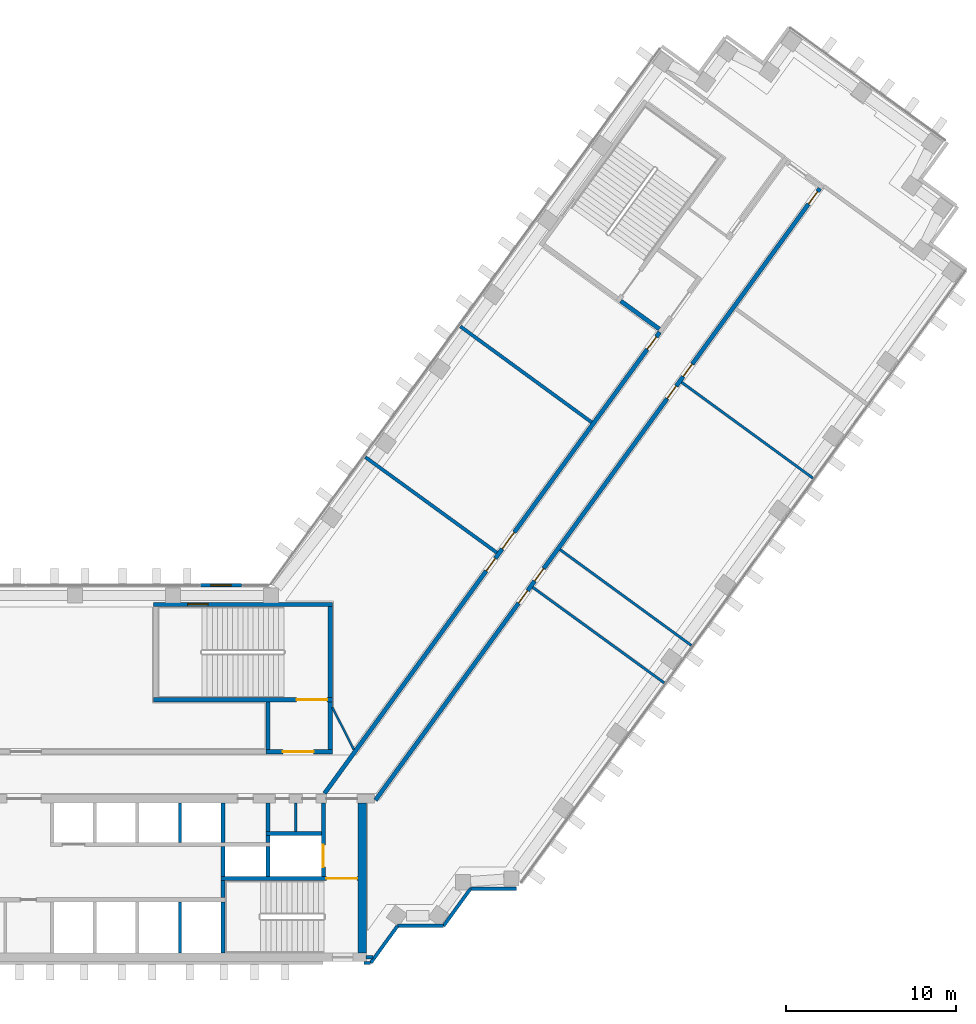
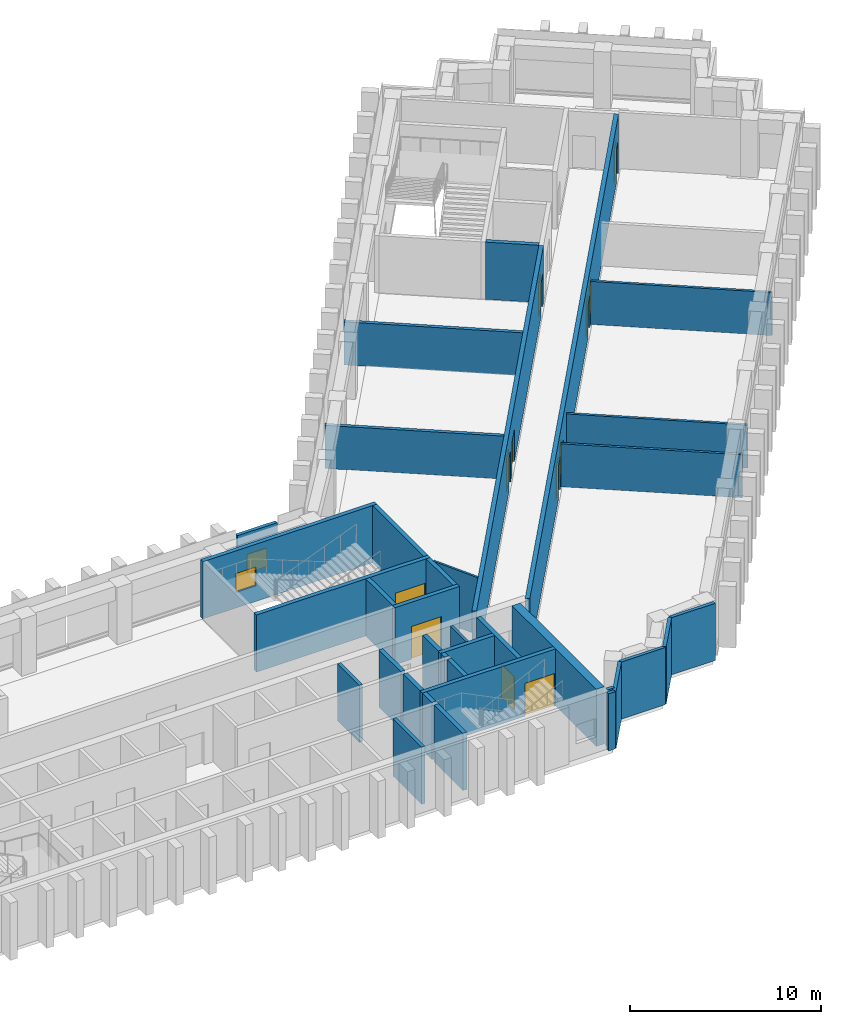
# One storey, part 11 of 17: 36 walls, 12 doors, 2 windows, 14 openings.
"""IFC4 building model written with IfcOpenShell, lengths in metres."""

from ifc_helpers import new_model, si_unit, direction, frame, frame_2d, origin, place, context, subcontext, project, spatial, rectangle, extrude, material, layer, layer_set, type_object, element, fill, save


model = new_model("IFC4")

# Units and contexts
model_context = context("Model", 3, precision=1e-05, world=origin(), true_north=direction((0.0, 1.0)))
body_context = subcontext(model_context, "Body", "Model", "MODEL_VIEW")
ifc_project = project(units=[si_unit("LENGTHUNIT", "METRE"), si_unit("AREAUNIT", "SQUARE_METRE"), si_unit("VOLUMEUNIT", "CUBIC_METRE"), si_unit("PLANEANGLEUNIT", "RADIAN"), si_unit("MASSUNIT", "GRAM", prefix="KILO")], contexts=[model_context])

# Site, building, storey
site_placement = place(None, origin())
site = spatial("IfcSite", under=ifc_project, at=site_placement, CompositionType="ELEMENT")
building_placement = place(site_placement, origin())
building = spatial("IfcBuilding", under=site, at=building_placement, Name="Quipu Civic Tower", CompositionType="ELEMENT")
storey_placement = place(building_placement, frame((0.0, 0.0, 43.0)))
storey = spatial("IfcBuildingStorey", under=building, at=storey_placement, Name="L09", CompositionType="ELEMENT", Elevation=43.0)

# Walls
ifc_material_1 = material(Name="Double gypsum plasterboard with mineral wool")
ifc_layer_1 = layer(ifc_material_1, 0.14990234375)
ifc_layer_set_1 = layer_set([ifc_layer_1], Name="Double gypsum plasterboard with mineral wool")
wall_type_1 = type_object("IfcWallType", Name="Acoustic partition 150 plasterboard", PredefinedType="PARTITIONING", material=ifc_layer_set_1)
wall_1_placement = place(storey_placement, frame((38.521728515625, 23.026123046875, 0.0), z_axis=(0.0, 0.0, 1.0), x_axis=(0.807606997933, -0.589721067023, 0.0)))
element("IfcWall", 1, at=wall_1_placement, inside=storey, type_object=wall_type_1, Name="Partition P06", PredefinedType="PARTITIONING", context=body_context, shape_type="SweptSolid", body=[
    extrude(rectangle(XDim=9.550048828125, YDim=0.14990234375, at=frame_2d((4.77490234375, 0.0))), origin(), (0.0, 0.0, 1.0), 2.75),
])
for number, where, z_axis, x_axis, name in (
    (2, (37.495849609375, 5.36669921875, 0.0), (0.0, 0.0, 1.0), (-0.809048817734, 0.587741448702, 0.0), "Partition P12"),
    (3, (31.3798828125, 13.1962890625, 0.0), (0.0, 0.0, 1.0), (0.807691251741, -0.589605666408, 0.0), "Partition P13"),
):
    element("IfcWall", number, at=place(storey_placement, frame(where, z_axis=z_axis, x_axis=x_axis)), inside=storey, type_object=wall_type_1, Name=name, PredefinedType="PARTITIONING", context=body_context, shape_type="SweptSolid", body=[
        extrude(rectangle(XDim=9.55029296875, YDim=0.14990234375, at=frame_2d((4.775146484375, 0.0))), origin(), (0.0, 0.0, 1.0), 2.75),
    ])
ifc_material_2 = material(Name="Fired clay blockwork", Category="masonry")
ifc_layer_2 = layer(ifc_material_2, 0.199951171875)
ifc_layer_set_2 = layer_set([ifc_layer_2], Name="Fired clay blockwork")
wall_type_2 = type_object("IfcWallType", Name="Blockwork wall 200", PredefinedType="SOLIDWALL", material=ifc_layer_set_2)
wall_2_placement = place(storey_placement, frame((27.664306640625, 13.015869140625, 0.0), z_axis=(0.0, 0.0, 1.0), x_axis=(-0.80900684162, 0.587799226107, 0.0)))
element("IfcWall", 4, at=wall_2_placement, inside=storey, type_object=wall_type_2, Name="Partition P05", PredefinedType="SOLIDWALL", context=body_context, shape_type="SweptSolid", body=[
    extrude(rectangle(XDim=9.550048828125, YDim=0.199951171875, at=frame_2d((4.77490234375, 0.0))), origin(), (0.0, 0.0, 1.0), 2.75),
])
wall_3_placement = place(storey_placement, frame((25.517578125, 26.30859375, 0.0), z_axis=(0.0, 0.0, 1.0), x_axis=(0.807610282865, -0.589716568371, 0.0)))
element("IfcWall", 5, at=wall_3_placement, inside=storey, type_object=wall_type_2, Name="Partition P11", PredefinedType="SOLIDWALL", context=body_context, shape_type="SweptSolid", body=[
    extrude(rectangle(XDim=9.549560546875, YDim=0.199951171875, at=frame_2d((4.77490234375, 0.0))), origin(), (0.0, 0.0, 1.0), 2.75),
])
ifc_material_3 = material(Name="Concrete C70/85", Category="concrete")
ifc_layer_3 = layer(ifc_material_3, 0.25)
ifc_layer_set_3 = layer_set([ifc_layer_3], Name="Concrete C70/85")
wall_type_3 = type_object("IfcWallType", Name="Core wall 250", PredefinedType="SHEAR", material=ifc_layer_set_3)
wall_4_placement = place(storey_placement, frame((11.574951171875, -10.5, 0.0), z_axis=(0.0, 0.0, 1.0), x_axis=(0.0, 1.0, 0.0)))
element("IfcWall", 6, at=wall_4_placement, inside=storey, type_object=wall_type_3, Name="Core wall", PredefinedType="SHEAR", context=body_context, shape_type="SweptSolid", body=[
    extrude(rectangle(XDim=3.0, YDim=0.25, at=frame_2d((1.5, 0.0))), origin(), (0.0, 0.0, 1.0), 3.64990234375),
])
wall_5_placement = place(storey_placement, frame((11.574951171875, -7.25, 0.0), z_axis=(0.0, 0.0, 1.0), x_axis=(0.0, 1.0, 0.0)))
element("IfcWall", 7, at=wall_5_placement, inside=storey, type_object=wall_type_3, Name="Core wall", PredefinedType="SHEAR", context=body_context, shape_type="SweptSolid", body=[
    extrude(rectangle(XDim=1.0, YDim=0.25, at=frame_2d((0.5, 0.0))), origin(), (0.0, 0.0, 1.0), 3.64990234375),
])

# Wall, opening, door
wall_6_placement = place(storey_placement, frame((19.5, -6.125, 0.0), z_axis=(0.0, 0.0, 1.0), x_axis=(-1.0, 0.0, 0.0)))
wall_6 = element("IfcWall", 8, at=wall_6_placement, inside=storey, type_object=wall_type_3, Name="Core wall", PredefinedType="SHEAR", context=body_context, shape_type="SweptSolid", body=[
    extrude(rectangle(XDim=8.050048828125, YDim=0.25, at=frame_2d((4.02490234375, 0.0))), origin(), (0.0, 0.0, 1.0), 3.64990234375),
])
opening_1_placement = place(wall_6_placement, frame((0.050048828125, 0.0, 0.0)))
opening_1 = element("IfcOpeningElement", 9, at=opening_1_placement, cuts=wall_6, Name="Opening CD-04", PredefinedType="OPENING", context=body_context, shape_type="SweptSolid", body=[
    extrude(rectangle(XDim=1.800048828125, YDim=2.10009765625, at=frame_2d((0.89990234375, 1.050048828125))), frame((0.0, 0.135009765625, 0.0), z_axis=(0.0, -1.0, 0.0), x_axis=(1.0, 0.0, 0.0)), (0.0, 0.0, 1.0), 0.27001953125),
])
ifc_material_4 = material(Name="Fire rated steel door", Category="steel")
door_type_1 = type_object("IfcDoorType", Name="Fire door FD90 double 1800 x 2100", OperationType="NOTDEFINED", PredefinedType="DOOR", material=ifc_material_4)
door_1_placement = place(opening_1_placement, origin())
door_1 = element("IfcDoor", 10, at=door_1_placement, inside=storey, type_object=door_type_1, Name="Door", OperationType="DOUBLE_DOOR_SINGLE_SWING", OverallHeight=2.10009765625, OverallWidth=1.800048828125, PredefinedType="DOOR", context=body_context, shape_type="SweptSolid", body=[
    extrude(rectangle(XDim=1.800048828125, YDim=2.10009765625, at=frame_2d((0.89990234375, 1.050048828125))), frame((0.0, 0.02490234375, 0.0), z_axis=(0.0, -1.0, 0.0), x_axis=(1.0, 0.0, 0.0)), (0.0, 0.0, 1.0), 0.050048828125),
])
fill(opening_1, door_1)

# Walls
for number, where, z_axis, x_axis, name in (
    (11, (11.574951171875, -6.0, 0.0), (0.0, 0.0, 1.0), (0.0, 1.0, 0.0), "Core wall"),
    (12, (14.22509765625, -6.0, 0.0), (0.0, 0.0, 1.0), (0.0, 1.0, 0.0), "Core wall"),
):
    element("IfcWall", number, at=place(storey_placement, frame(where, z_axis=z_axis, x_axis=x_axis)), inside=storey, type_object=wall_type_3, Name=name, PredefinedType="SHEAR", context=body_context, shape_type="SweptSolid", body=[
        extrude(rectangle(XDim=1.75, YDim=0.25, at=frame_2d((0.875, 0.0))), origin(), (0.0, 0.0, 1.0), 3.64990234375),
    ])

# Wall, opening, door
wall_7_placement = place(storey_placement, frame((17.47509765625, -6.0, 0.0), z_axis=(0.0, 0.0, 1.0), x_axis=(0.0, 1.0, 0.0)))
wall_7 = element("IfcWall", 13, at=wall_7_placement, inside=storey, type_object=wall_type_3, Name="Core wall", PredefinedType="SHEAR", context=body_context, shape_type="SweptSolid", body=[
    extrude(rectangle(XDim=4.300048828125, YDim=0.25, at=frame_2d((2.14990234375, 0.0))), origin(), (0.0, 0.0, 1.0), 3.64990234375),
])
opening_2_placement = place(wall_7_placement, frame((0.550048828125, 0.0, 0.0)))
opening_2 = element("IfcOpeningElement", 14, at=opening_2_placement, cuts=wall_7, Name="Opening LD-FF2", PredefinedType="OPENING", context=body_context, shape_type="SweptSolid", body=[
    extrude(rectangle(XDim=1.300048828125, YDim=2.10009765625, at=frame_2d((0.64990234375, 1.050048828125))), frame((0.0, 0.135009765625, 0.0), z_axis=(0.0, -1.0, 0.0), x_axis=(1.0, 0.0, 0.0)), (0.0, 0.0, 1.0), 0.27001953125),
])
ifc_material_5 = material(Name="Stainless steel", Category="steel")
door_type_2 = type_object("IfcDoorType", Name="Lift landing door 1300 x 2100", OperationType="DOUBLE_DOOR_SLIDING", PredefinedType="DOOR", material=ifc_material_5)
door_2_placement = place(opening_2_placement, origin())
door_2 = element("IfcDoor", 15, at=door_2_placement, inside=storey, type_object=door_type_2, Name="Landing door FF2", OperationType="DOUBLE_DOOR_SLIDING", OverallHeight=2.10009765625, OverallWidth=1.300048828125, PredefinedType="DOOR", context=body_context, shape_type="SweptSolid", body=[
    extrude(rectangle(XDim=1.300048828125, YDim=2.10009765625, at=frame_2d((0.64990234375, 1.050048828125))), frame((0.0, 0.02490234375, 0.0), z_axis=(0.0, -1.0, 0.0), x_axis=(1.0, 0.0, 0.0)), (0.0, 0.0, 1.0), 0.050048828125),
])
fill(opening_2, door_2)

# Walls
wall_8_placement = place(storey_placement, frame((11.574951171875, -4.0, 0.0), z_axis=(0.0, 0.0, 1.0), x_axis=(0.0, 1.0, 0.0)))
element("IfcWall", 16, at=wall_8_placement, inside=storey, type_object=wall_type_3, Name="Core wall", PredefinedType="SHEAR", context=body_context, shape_type="SweptSolid", body=[
    extrude(rectangle(XDim=2.300048828125, YDim=0.25, at=frame_2d((1.14990234375, 0.0))), origin(), (0.0, 0.0, 1.0), 3.64990234375),
])
wall_9_placement = place(storey_placement, frame((14.22509765625, -4.0, 0.0), z_axis=(0.0, 0.0, 1.0), x_axis=(0.0, 1.0, 0.0)))
element("IfcWall", 17, at=wall_9_placement, inside=storey, type_object=wall_type_3, Name="Core wall", PredefinedType="SHEAR", context=body_context, shape_type="SweptSolid", body=[
    extrude(rectangle(XDim=0.39990234375, YDim=0.25, at=frame_2d((0.199951171875, 0.0))), origin(), (0.0, 0.0, 1.0), 3.64990234375),
])
wall_10_placement = place(storey_placement, frame((14.10009765625, -3.47509765625, 0.0), z_axis=(0.0, 0.0, 1.0), x_axis=(1.0, 0.0, 0.0)))
element("IfcWall", 18, at=wall_10_placement, inside=storey, type_object=wall_type_3, Name="Core wall", PredefinedType="SHEAR", context=body_context, shape_type="SweptSolid", body=[
    extrude(rectangle(XDim=3.25, YDim=0.25, at=frame_2d((1.625, 0.0))), origin(), (0.0, 0.0, 1.0), 3.64990234375),
])
wall_11_placement = place(storey_placement, frame((14.22509765625, -3.35009765625, 0.0), z_axis=(0.0, 0.0, 1.0), x_axis=(0.0, 1.0, 0.0)))
element("IfcWall", 19, at=wall_11_placement, inside=storey, type_object=wall_type_3, Name="Core wall", PredefinedType="SHEAR", context=body_context, shape_type="SweptSolid", body=[
    extrude(rectangle(XDim=1.650146484375, YDim=0.25, at=frame_2d((0.8251953125, 0.0))), origin(), (0.0, 0.0, 1.0), 3.64990234375),
])

# Wall, opening, door
wall_12_placement = place(storey_placement, frame((14.10009765625, 1.324951171875, 0.0), z_axis=(0.0, 0.0, 1.0), x_axis=(1.0, 0.0, 0.0)))
wall_12 = element("IfcWall", 20, at=wall_12_placement, inside=storey, type_object=wall_type_3, Name="Core wall", PredefinedType="SHEAR", context=body_context, shape_type="SweptSolid", body=[
    extrude(rectangle(XDim=3.89990234375, YDim=0.25, at=frame_2d((1.949951171875, 0.0))), origin(), (0.0, 0.0, 1.0), 3.64990234375),
])
opening_3_placement = place(wall_12_placement, frame((1.0, 0.0, 0.0)))
opening_3 = element("IfcOpeningElement", 21, at=opening_3_placement, cuts=wall_12, Name="Opening CD-16", PredefinedType="OPENING", context=body_context, shape_type="SweptSolid", body=[
    extrude(rectangle(XDim=1.800048828125, YDim=2.10009765625, at=frame_2d((0.89990234375, 1.050048828125))), frame((0.0, 0.135009765625, 0.0), z_axis=(0.0, -1.0, 0.0), x_axis=(1.0, 0.0, 0.0)), (0.0, 0.0, 1.0), 0.27001953125),
])
door_3_placement = place(opening_3_placement, origin())
door_3 = element("IfcDoor", 22, at=door_3_placement, inside=storey, type_object=door_type_1, Name="Lobby door", OperationType="DOUBLE_DOOR_SINGLE_SWING", OverallHeight=2.10009765625, OverallWidth=1.800048828125, PredefinedType="DOOR", context=body_context, shape_type="SweptSolid", body=[
    extrude(rectangle(XDim=1.800048828125, YDim=2.10009765625, at=frame_2d((0.89990234375, 1.050048828125))), frame((0.0, 0.02490234375, 0.0), z_axis=(0.0, -1.0, 0.0), x_axis=(1.0, 0.0, 0.0)), (0.0, 0.0, 1.0), 0.050048828125),
])
fill(opening_3, door_3)

# Walls
for number, where, z_axis, x_axis, name in (
    (23, (14.22509765625, 1.449951171875, 0.0), (0.0, 0.0, 1.0), (0.0, 1.0, 0.0), "Core wall"),
    (24, (17.875, 1.449951171875, 0.0), (0.0, 0.0, 1.0), (0.0, 1.0, 0.0), "Core wall"),
):
    element("IfcWall", number, at=place(storey_placement, frame(where, z_axis=z_axis, x_axis=x_axis)), inside=storey, type_object=wall_type_3, Name=name, PredefinedType="SHEAR", context=body_context, shape_type="SweptSolid", body=[
        extrude(rectangle(XDim=2.800048828125, YDim=0.25, at=frame_2d((1.39990234375, 0.0))), origin(), (0.0, 0.0, 1.0), 3.64990234375),
    ])

# Wall, opening, door
wall_13_placement = place(storey_placement, frame((7.5, 4.375, 0.0), z_axis=(0.0, 0.0, 1.0), x_axis=(1.0, 0.0, 0.0)))
wall_13 = element("IfcWall", 25, at=wall_13_placement, inside=storey, type_object=wall_type_3, Name="Core wall", PredefinedType="SHEAR", context=body_context, shape_type="SweptSolid", body=[
    extrude(rectangle(XDim=10.5, YDim=0.25, at=frame_2d((5.25, 0.0))), origin(), (0.0, 0.0, 1.0), 3.64990234375),
])
opening_4_placement = place(wall_13_placement, frame((8.39990234375, 0.0, 0.0)))
opening_4 = element("IfcOpeningElement", 26, at=opening_4_placement, cuts=wall_13, Name="Opening CD-17", PredefinedType="OPENING", context=body_context, shape_type="SweptSolid", body=[
    extrude(rectangle(XDim=1.800048828125, YDim=2.10009765625, at=frame_2d((0.89990234375, 1.050048828125))), frame((0.0, 0.135009765625, 0.0), z_axis=(0.0, -1.0, 0.0), x_axis=(1.0, 0.0, 0.0)), (0.0, 0.0, 1.0), 0.27001953125),
])
door_4_placement = place(opening_4_placement, origin())
door_4 = element("IfcDoor", 27, at=door_4_placement, inside=storey, type_object=door_type_1, Name="Door", OperationType="DOUBLE_DOOR_SINGLE_SWING", OverallHeight=2.10009765625, OverallWidth=1.800048828125, PredefinedType="DOOR", context=body_context, shape_type="SweptSolid", body=[
    extrude(rectangle(XDim=1.800048828125, YDim=2.10009765625, at=frame_2d((0.89990234375, 1.050048828125))), frame((0.0, 0.02490234375, 0.0), z_axis=(0.0, -1.0, 0.0), x_axis=(1.0, 0.0, 0.0)), (0.0, 0.0, 1.0), 0.050048828125),
])
fill(opening_4, door_4)

# Wall
wall_14_placement = place(storey_placement, frame((17.875, 4.5, 0.0), z_axis=(0.0, 0.0, 1.0), x_axis=(0.0, 1.0, 0.0)))
element("IfcWall", 28, at=wall_14_placement, inside=storey, type_object=wall_type_3, Name="Core wall", PredefinedType="SHEAR", context=body_context, shape_type="SweptSolid", body=[
    extrude(rectangle(XDim=5.35009765625, YDim=0.25, at=frame_2d((2.675048828125, 0.0))), origin(), (0.0, 0.0, 1.0), 3.64990234375),
])

# Wall, opening, window
wall_15_placement = place(storey_placement, frame((7.5, 9.97509765625, 0.0), z_axis=(0.0, 0.0, 1.0), x_axis=(1.0, 0.0, 0.0)))
wall_15 = element("IfcWall", 29, at=wall_15_placement, inside=storey, type_object=wall_type_3, Name="Core wall", PredefinedType="SHEAR", context=body_context, shape_type="SweptSolid", body=[
    extrude(rectangle(XDim=10.5, YDim=0.25, at=frame_2d((5.25, 0.0))), origin(), (0.0, 0.0, 1.0), 3.64990234375),
])
opening_5_placement = place(wall_15_placement, frame((2.0, 0.0, 1.0)))
opening_5 = element("IfcOpeningElement", 30, at=opening_5_placement, cuts=wall_15, Name="Opening SV-4", PredefinedType="OPENING", context=body_context, shape_type="SweptSolid", body=[
    extrude(rectangle(XDim=1.199951171875, YDim=1.199951171875, at=frame_2d((0.60009765625, 0.60009765625))), frame((0.0, 0.135009765625, 0.0), z_axis=(0.0, -1.0, 0.0), x_axis=(1.0, 0.0, 0.0)), (0.0, 0.0, 1.0), 0.27001953125),
])
ifc_material_6 = material(Name="Aluminium louvre", Category="aluminium")
window_type_1 = type_object("IfcWindowType", Name="Stair ventilation louvre 1200 x 1200", PartitioningType="SINGLE_PANEL", PredefinedType="WINDOW", material=ifc_material_6)
window_1_placement = place(opening_5_placement, origin())
window_1 = element("IfcWindow", 31, at=window_1_placement, inside=storey, type_object=window_type_1, Name="Stair ventilation opening", OverallHeight=1.199951171875, OverallWidth=1.199951171875, PartitioningType="SINGLE_PANEL", PredefinedType="WINDOW", context=body_context, shape_type="SweptSolid", body=[
    extrude(rectangle(XDim=1.199951171875, YDim=1.199951171875, at=frame_2d((0.60009765625, 0.60009765625))), frame((0.0, 0.030029296875, 0.0), z_axis=(0.0, -1.0, 0.0), x_axis=(1.0, 0.0, 0.0)), (0.0, 0.0, 1.0), 0.06005859375),
])
fill(opening_5, window_1)

# Walls
wall_16_placement = place(storey_placement, frame((37.2099609375, 26.154296875, 0.0), z_axis=(0.0, 0.0, 1.0), x_axis=(-0.809041377956, 0.587751689708, 0.0)))
element("IfcWall", 32, at=wall_16_placement, inside=storey, type_object=wall_type_3, Name="Core wall", PredefinedType="SHEAR", context=body_context, shape_type="SweptSolid", body=[
    extrude(rectangle(XDim=2.800048828125, YDim=0.25, at=frame_2d((1.39990234375, 0.0))), origin(), (0.0, 0.0, 1.0), 3.64990234375),
])
ifc_material_7 = material(Name="Concrete C70/85", Category="concrete")
ifc_layer_4 = layer(ifc_material_7, 0.5)
ifc_layer_set_4 = layer_set([ifc_layer_4], Name="Concrete C70/85")
wall_type_4 = type_object("IfcWallType", Name="Core wall 500", PredefinedType="SHEAR", material=ifc_layer_set_4)
wall_17_placement = place(storey_placement, frame((19.75, -10.5, 0.0), z_axis=(0.0, 0.0, 1.0), x_axis=(0.0, 1.0, 0.0)))
element("IfcWall", 33, at=wall_17_placement, inside=storey, type_object=wall_type_4, Name="Core wall", PredefinedType="SHEAR", context=body_context, shape_type="SweptSolid", body=[
    extrude(rectangle(XDim=8.800048828125, YDim=0.5, at=frame_2d((4.39990234375, 0.0))), origin(), (0.0, 0.0, 1.0), 3.64990234375),
])

# Wall, openings, doors
ifc_material_8 = material(Name="Concrete C50/60", Category="concrete")
ifc_layer_5 = layer(ifc_material_8, 0.25)
ifc_layer_set_5 = layer_set([ifc_layer_5], Name="Concrete C50/60")
wall_type_5 = type_object("IfcWallType", Name="Corridor wall 250 concrete", PredefinedType="SOLIDWALL", material=ifc_layer_set_5)
wall_18_placement = place(storey_placement, frame((17.544921875, -1.124755859375, 0.0), z_axis=(0.0, 0.0, 1.0), x_axis=(0.587786323093, 0.809016216391, 0.0)))
wall_18 = element("IfcWall", 34, at=wall_18_placement, inside=storey, type_object=wall_type_5, Name="Corridor wall C06", PredefinedType="SOLIDWALL", context=body_context, shape_type="SweptSolid", body=[
    extrude(rectangle(XDim=33.4931640625, YDim=0.25, at=frame_2d((16.74658203125, 0.0))), origin(), (0.0, 0.0, 1.0), 3.64990234375),
])
opening_6_placement = place(wall_18_placement, frame((16.158203125, 0.0, 0.0)))
opening_6 = element("IfcOpeningElement", 35, at=opening_6_placement, cuts=wall_18, Name="Opening D001", PredefinedType="OPENING", context=body_context, shape_type="SweptSolid", body=[
    extrude(rectangle(XDim=0.89990234375, YDim=2.10009765625, at=frame_2d((0.449951171875, 1.050048828125))), frame((0.0, 0.135009765625, 0.0), z_axis=(0.0, -1.0, 0.0), x_axis=(1.0, 0.0, 0.0)), (0.0, 0.0, 1.0), 0.27001953125),
])
opening_7_placement = place(wall_18_placement, frame((32.2529296875, 0.0, 0.0)))
opening_7 = element("IfcOpeningElement", 36, at=opening_7_placement, cuts=wall_18, Name="Opening D003", PredefinedType="OPENING", context=body_context, shape_type="SweptSolid", body=[
    extrude(rectangle(XDim=0.89990234375, YDim=2.10009765625, at=frame_2d((0.449951171875, 1.050048828125))), frame((0.0, 0.135009765625, 0.0), z_axis=(0.0, -1.0, 0.0), x_axis=(1.0, 0.0, 0.0)), (0.0, 0.0, 1.0), 0.27001953125),
])
opening_8_placement = place(wall_18_placement, frame((17.757080078125, 0.0, 0.0)))
opening_8 = element("IfcOpeningElement", 37, at=opening_8_placement, cuts=wall_18, Name="Opening D002", PredefinedType="OPENING", context=body_context, shape_type="SweptSolid", body=[
    extrude(rectangle(XDim=1.199951171875, YDim=2.10009765625, at=frame_2d((0.60009765625, 1.050048828125))), frame((0.0, 0.135009765625, 0.0), z_axis=(0.0, -1.0, 0.0), x_axis=(1.0, 0.0, 0.0)), (0.0, 0.0, 1.0), 0.27001953125),
])
ifc_material_9 = material(Name="Fire rated timber door set with metal frame", Category="wood")
door_type_3 = type_object("IfcDoorType", Name="Single door 1200 x 2100 FD60", OperationType="NOTDEFINED", PredefinedType="DOOR", material=ifc_material_9)
door_5_placement = place(opening_8_placement, origin())
door_5 = element("IfcDoor", 38, at=door_5_placement, inside=storey, type_object=door_type_3, Name="Door D002", OperationType="SINGLE_SWING_LEFT", OverallHeight=2.10009765625, OverallWidth=1.199951171875, PredefinedType="DOOR", context=body_context, shape_type="SweptSolid", body=[
    extrude(rectangle(XDim=1.199951171875, YDim=2.10009765625, at=frame_2d((0.60009765625, 1.050048828125))), frame((0.0, 0.02490234375, 0.0), z_axis=(0.0, -1.0, 0.0), x_axis=(1.0, 0.0, 0.0)), (0.0, 0.0, 1.0), 0.050048828125),
])
fill(opening_8, door_5)
ifc_material_10 = material(Name="Fire rated timber door set with metal frame", Category="wood")
door_type_4 = type_object("IfcDoorType", Name="Single door 900 x 2100 FD60", OperationType="NOTDEFINED", PredefinedType="DOOR", material=ifc_material_10)
door_6_placement = place(opening_6_placement, origin())
door_6 = element("IfcDoor", 39, at=door_6_placement, inside=storey, type_object=door_type_4, Name="Door D001", OperationType="SINGLE_SWING_RIGHT", OverallHeight=2.10009765625, OverallWidth=0.89990234375, PredefinedType="DOOR", context=body_context, shape_type="SweptSolid", body=[
    extrude(rectangle(XDim=0.89990234375, YDim=2.10009765625, at=frame_2d((0.449951171875, 1.050048828125))), frame((0.0, 0.02490234375, 0.0), z_axis=(0.0, -1.0, 0.0), x_axis=(1.0, 0.0, 0.0)), (0.0, 0.0, 1.0), 0.050048828125),
])
fill(opening_6, door_6)
door_7_placement = place(opening_7_placement, origin())
door_7 = element("IfcDoor", 40, at=door_7_placement, inside=storey, type_object=door_type_4, Name="Door D003", OperationType="SINGLE_SWING_RIGHT", OverallHeight=2.10009765625, OverallWidth=0.89990234375, PredefinedType="DOOR", context=body_context, shape_type="SweptSolid", body=[
    extrude(rectangle(XDim=0.89990234375, YDim=2.10009765625, at=frame_2d((0.449951171875, 1.050048828125))), frame((0.0, 0.02490234375, 0.0), z_axis=(0.0, -1.0, 0.0), x_axis=(1.0, 0.0, 0.0)), (0.0, 0.0, 1.0), 0.050048828125),
])
fill(opening_7, door_7)

wall_19_placement = place(storey_placement, frame((46.640625, 34.413330078125, 0.0), z_axis=(0.0, 0.0, 1.0), x_axis=(-0.587785682186, -0.809016682039, 0.0)))
wall_19 = element("IfcWall", 41, at=wall_19_placement, inside=storey, type_object=wall_type_5, Name="Corridor wall C09", PredefinedType="SOLIDWALL", context=body_context, shape_type="SweptSolid", body=[
    extrude(rectangle(XDim=44.42041015625, YDim=0.25, at=frame_2d((22.210205078125, 0.0))), origin(), (0.0, 0.0, 1.0), 3.64990234375),
])
opening_9_placement = place(wall_19_placement, frame((12.7548828125, 0.0, 0.0)))
opening_9 = element("IfcOpeningElement", 42, at=opening_9_placement, cuts=wall_19, Name="Opening D008", PredefinedType="OPENING", context=body_context, shape_type="SweptSolid", body=[
    extrude(rectangle(XDim=0.89990234375, YDim=2.10009765625, at=frame_2d((0.449951171875, 1.050048828125))), frame((0.0, 0.135009765625, 0.0), z_axis=(0.0, -1.0, 0.0), x_axis=(1.0, 0.0, 0.0)), (0.0, 0.0, 1.0), 0.27001953125),
])
opening_10_placement = place(wall_19_placement, frame((29.20458984375, 0.0, 0.0)))
opening_10 = element("IfcOpeningElement", 43, at=opening_10_placement, cuts=wall_19, Name="Opening D005", PredefinedType="OPENING", context=body_context, shape_type="SweptSolid", body=[
    extrude(rectangle(XDim=0.89990234375, YDim=2.10009765625, at=frame_2d((0.449951171875, 1.050048828125))), frame((0.0, 0.135009765625, 0.0), z_axis=(0.0, -1.0, 0.0), x_axis=(1.0, 0.0, 0.0)), (0.0, 0.0, 1.0), 0.27001953125),
])
opening_11_placement = place(wall_19_placement, frame((14.354248046875, 0.0, 0.0)))
opening_11 = element("IfcOpeningElement", 44, at=opening_11_placement, cuts=wall_19, Name="Opening D007", PredefinedType="OPENING", context=body_context, shape_type="SweptSolid", body=[
    extrude(rectangle(XDim=0.89990234375, YDim=2.10009765625, at=frame_2d((0.449951171875, 1.050048828125))), frame((0.0, 0.135009765625, 0.0), z_axis=(0.0, -1.0, 0.0), x_axis=(1.0, 0.0, 0.0)), (0.0, 0.0, 1.0), 0.27001953125),
])
opening_12_placement = place(wall_19_placement, frame((27.6044921875, 0.0, 0.0)))
opening_12 = element("IfcOpeningElement", 45, at=opening_12_placement, cuts=wall_19, Name="Opening D006", PredefinedType="OPENING", context=body_context, shape_type="SweptSolid", body=[
    extrude(rectangle(XDim=0.89990234375, YDim=2.10009765625, at=frame_2d((0.449951171875, 1.050048828125))), frame((0.0, 0.135009765625, 0.0), z_axis=(0.0, -1.0, 0.0), x_axis=(1.0, 0.0, 0.0)), (0.0, 0.0, 1.0), 0.27001953125),
])
opening_13_placement = place(wall_19_placement, frame((0.224853515625, 0.0, 0.0)))
opening_13 = element("IfcOpeningElement", 46, at=opening_13_placement, cuts=wall_19, Name="Opening D009", PredefinedType="OPENING", context=body_context, shape_type="SweptSolid", body=[
    extrude(rectangle(XDim=0.89990234375, YDim=2.10009765625, at=frame_2d((0.449951171875, 1.050048828125))), frame((0.0, 0.135009765625, 0.0), z_axis=(0.0, -1.0, 0.0), x_axis=(1.0, 0.0, 0.0)), (0.0, 0.0, 1.0), 0.27001953125),
])
door_8_placement = place(opening_9_placement, origin())
door_8 = element("IfcDoor", 47, at=door_8_placement, inside=storey, type_object=door_type_4, Name="Door D008", OperationType="SINGLE_SWING_RIGHT", OverallHeight=2.10009765625, OverallWidth=0.89990234375, PredefinedType="DOOR", context=body_context, shape_type="SweptSolid", body=[
    extrude(rectangle(XDim=0.89990234375, YDim=2.10009765625, at=frame_2d((0.449951171875, 1.050048828125))), frame((0.0, 0.02490234375, 0.0), z_axis=(0.0, -1.0, 0.0), x_axis=(1.0, 0.0, 0.0)), (0.0, 0.0, 1.0), 0.050048828125),
])
fill(opening_9, door_8)
door_9_placement = place(opening_10_placement, origin())
door_9 = element("IfcDoor", 48, at=door_9_placement, inside=storey, type_object=door_type_4, Name="Door D005", OperationType="SINGLE_SWING_LEFT", OverallHeight=2.10009765625, OverallWidth=0.89990234375, PredefinedType="DOOR", context=body_context, shape_type="SweptSolid", body=[
    extrude(rectangle(XDim=0.89990234375, YDim=2.10009765625, at=frame_2d((0.449951171875, 1.050048828125))), frame((0.0, 0.02490234375, 0.0), z_axis=(0.0, -1.0, 0.0), x_axis=(1.0, 0.0, 0.0)), (0.0, 0.0, 1.0), 0.050048828125),
])
fill(opening_10, door_9)
door_10_placement = place(opening_11_placement, origin())
door_10 = element("IfcDoor", 49, at=door_10_placement, inside=storey, type_object=door_type_4, Name="Door D007", OperationType="SINGLE_SWING_LEFT", OverallHeight=2.10009765625, OverallWidth=0.89990234375, PredefinedType="DOOR", context=body_context, shape_type="SweptSolid", body=[
    extrude(rectangle(XDim=0.89990234375, YDim=2.10009765625, at=frame_2d((0.449951171875, 1.050048828125))), frame((0.0, 0.02490234375, 0.0), z_axis=(0.0, -1.0, 0.0), x_axis=(1.0, 0.0, 0.0)), (0.0, 0.0, 1.0), 0.050048828125),
])
fill(opening_11, door_10)
door_11_placement = place(opening_12_placement, origin())
door_11 = element("IfcDoor", 50, at=door_11_placement, inside=storey, type_object=door_type_4, Name="Door D006", OperationType="SINGLE_SWING_RIGHT", OverallHeight=2.10009765625, OverallWidth=0.89990234375, PredefinedType="DOOR", context=body_context, shape_type="SweptSolid", body=[
    extrude(rectangle(XDim=0.89990234375, YDim=2.10009765625, at=frame_2d((0.449951171875, 1.050048828125))), frame((0.0, 0.02490234375, 0.0), z_axis=(0.0, -1.0, 0.0), x_axis=(1.0, 0.0, 0.0)), (0.0, 0.0, 1.0), 0.050048828125),
])
fill(opening_12, door_11)
door_12_placement = place(opening_13_placement, origin())
door_12 = element("IfcDoor", 51, at=door_12_placement, inside=storey, type_object=door_type_4, Name="Door D009", OperationType="SINGLE_SWING_LEFT", OverallHeight=2.10009765625, OverallWidth=0.89990234375, PredefinedType="DOOR", context=body_context, shape_type="SweptSolid", body=[
    extrude(rectangle(XDim=0.89990234375, YDim=2.10009765625, at=frame_2d((0.449951171875, 1.050048828125))), frame((0.0, 0.02490234375, 0.0), z_axis=(0.0, -1.0, 0.0), x_axis=(1.0, 0.0, 0.0)), (0.0, 0.0, 1.0), 0.050048828125),
])
fill(opening_13, door_12)

# Walls
ifc_material_11 = material(Name="Gypsum plasterboard on light gauge framing")
ifc_layer_6 = layer(ifc_material_11, 0.1201171875)
ifc_layer_set_6 = layer_set([ifc_layer_6], Name="Gypsum plasterboard on light gauge framing")
wall_type_6 = type_object("IfcWallType", Name="Partition 120 plasterboard", PredefinedType="PARTITIONING", material=ifc_layer_set_6)
wall_20_placement = place(storey_placement, frame((18.0, 3.925048828125, 0.0), z_axis=(0.0, 0.0, 1.0), x_axis=(0.453950796792, -0.891026752736, 0.0)))
element("IfcWall", 52, at=wall_20_placement, inside=storey, type_object=wall_type_6, Name="Partition P19", PredefinedType="PARTITIONING", context=body_context, shape_type="SweptSolid", body=[
    extrude(rectangle(XDim=2.77783203125, YDim=0.1201171875, at=frame_2d((1.388916015625, 0.0))), origin(), (0.0, 0.0, 1.0), 3.64990234375),
])
ifc_material_12 = material(Name="Gypsum board partition")
ifc_layer_7 = layer(ifc_material_12, 0.14990234375)
ifc_layer_set_7 = layer_set([ifc_layer_7], Name="Gypsum board partition")
wall_type_7 = type_object("IfcWallType", Name="Partition 150", PredefinedType="PARTITIONING", material=ifc_layer_set_7)
wall_21_placement = place(storey_placement, frame((15.85009765625, -3.35009765625, 0.0), z_axis=(0.0, 0.0, 1.0), x_axis=(0.0, 1.0, 0.0)))
element("IfcWall", 53, at=wall_21_placement, inside=storey, type_object=wall_type_7, Name="Partition", PredefinedType="PARTITIONING", context=body_context, shape_type="SweptSolid", body=[
    extrude(rectangle(XDim=1.650146484375, YDim=0.14990234375, at=frame_2d((0.8251953125, 0.0))), origin(), (0.0, 0.0, 1.0), 3.64990234375),
])
ifc_material_13 = material(Name="Precast concrete C40/50", Category="concrete")
wall_type_8 = type_object("IfcWallType", Name="Precast cladding wall", PredefinedType="SOLIDWALL", material=ifc_material_13)
wall_22_placement = place(storey_placement, frame((19.85009765625, -11.087890625, 0.0), z_axis=(0.0, 0.0, 1.0), x_axis=(1.0, 0.0, 0.0)))
element("IfcWall", 54, at=wall_22_placement, inside=storey, type_object=wall_type_8, Name="Precast cladding wall L09 14", PredefinedType="SOLIDWALL", context=body_context, shape_type="SweptSolid", body=[
    extrude(rectangle(XDim=0.40576171875, YDim=0.199951171875, at=frame_2d((0.202880859375, 0.0))), origin(), (0.0, 0.0, 1.0), 3.64990234375),
])
wall_23_placement = place(storey_placement, frame((20.253173828125, -11.083251953125, 0.0), z_axis=(0.0, 0.0, 1.0), x_axis=(0.587766567315, 0.809030569476, 0.0)))
element("IfcWall", 55, at=wall_23_placement, inside=storey, type_object=wall_type_8, Name="Precast cladding wall L09 15", PredefinedType="SOLIDWALL", context=body_context, shape_type="SweptSolid", body=[
    extrude(rectangle(XDim=2.687744140625, YDim=0.199951171875, at=frame_2d((1.34375, 0.0))), origin(), (0.0, 0.0, 1.0), 3.64990234375),
])
wall_24_placement = place(storey_placement, frame((21.8427734375, -8.90380859375, 0.0), z_axis=(0.0, 0.0, 1.0), x_axis=(1.0, 0.0, 0.0)))
element("IfcWall", 56, at=wall_24_placement, inside=storey, type_object=wall_type_8, Name="Precast cladding wall L09 16", PredefinedType="SOLIDWALL", context=body_context, shape_type="SweptSolid", body=[
    extrude(rectangle(XDim=2.699951171875, YDim=0.199951171875, at=frame_2d((1.35009765625, 0.0))), origin(), (0.0, 0.0, 1.0), 3.64990234375),
])
wall_25_placement = place(storey_placement, frame((24.533203125, -8.90869140625, 0.0), z_axis=(0.0, 0.0, 1.0), x_axis=(0.587720002413, 0.809064397168, 0.0)))
element("IfcWall", 57, at=wall_25_placement, inside=storey, type_object=wall_type_8, Name="Precast cladding wall L09 17", PredefinedType="SOLIDWALL", context=body_context, shape_type="SweptSolid", body=[
    extrude(rectangle(XDim=2.7001953125, YDim=0.199951171875, at=frame_2d((1.35009765625, 0.0))), origin(), (0.0, 0.0, 1.0), 3.64990234375),
])
wall_26_placement = place(storey_placement, frame((26.1298828125, -6.71923828125, 0.0), z_axis=(0.0, 0.0, 1.0), x_axis=(1.0, 0.0, 0.0)))
element("IfcWall", 58, at=wall_26_placement, inside=storey, type_object=wall_type_8, Name="Precast cladding wall L09 18", PredefinedType="SOLIDWALL", context=body_context, shape_type="SweptSolid", body=[
    extrude(rectangle(XDim=2.699951171875, YDim=0.199951171875, at=frame_2d((1.35009765625, 0.0))), origin(), (0.0, 0.0, 1.0), 3.64990234375),
])

# Wall, opening, window
wall_27_placement = place(storey_placement, frame((12.655029296875, 11.10009765625, 0.0), z_axis=(0.0, 0.0, 1.0), x_axis=(-1.0, 0.0, 0.0)))
wall_27 = element("IfcWall", 59, at=wall_27_placement, inside=storey, type_object=wall_type_8, Name="Vent surround SF-L09-2", PredefinedType="SOLIDWALL", context=body_context, shape_type="SweptSolid", body=[
    extrude(rectangle(XDim=2.3916015625, YDim=0.199951171875, at=frame_2d((1.19580078125, 0.0))), origin(), (0.0, 0.0, 1.0), 3.64990234375),
])
opening_14_placement = place(wall_27_placement, frame((0.595703125, 0.0, 1.0)))
opening_14 = element("IfcOpeningElement", 60, at=opening_14_placement, cuts=wall_27, Name="Opening SF-L09-2", PredefinedType="OPENING", context=body_context, shape_type="SweptSolid", body=[
    extrude(rectangle(XDim=1.199951171875, YDim=1.199951171875, at=frame_2d((0.60009765625, 0.60009765625))), frame((0.0, 0.10986328125, 0.0), z_axis=(0.0, -1.0, 0.0), x_axis=(1.0, 0.0, 0.0)), (0.0, 0.0, 1.0), 0.219970703125),
])
ifc_material_14 = material(Name="Anodised aluminium louvre", Category="aluminium")
window_type_2 = type_object("IfcWindowType", Name="Stair vent louvre window P3", PartitioningType="SINGLE_PANEL", PredefinedType="WINDOW", material=ifc_material_14)
window_2_placement = place(opening_14_placement, origin())
window_2 = element("IfcWindow", 61, at=window_2_placement, inside=storey, type_object=window_type_2, Name="Stair vent louvre SF-L09-2", OverallHeight=1.199951171875, OverallWidth=1.199951171875, PartitioningType="SINGLE_PANEL", PredefinedType="WINDOW", context=body_context, shape_type="SweptSolid", body=[
    extrude(rectangle(XDim=1.199951171875, YDim=1.199951171875, at=frame_2d((0.60009765625, 0.60009765625))), frame((0.0, 0.030029296875, 0.0), z_axis=(0.0, -1.0, 0.0), x_axis=(1.0, 0.0, 0.0)), (0.0, 0.0, 1.0), 0.06005859375),
])
fill(opening_14, window_2)

# Walls
wall_28_placement = place(storey_placement, frame((19.97998046875, -10.75, 0.0), z_axis=(0.0, 0.0, 1.0), x_axis=(1.0, 0.0, 0.0)))
element("IfcWall", 62, at=wall_28_placement, inside=storey, type_object=wall_type_8, Name="Precast cladding return L09 E", PredefinedType="SOLIDWALL", context=body_context, shape_type="SweptSolid", body=[
    extrude(rectangle(XDim=0.41650390625, YDim=0.199951171875, at=frame_2d((0.208251953125, 0.0))), origin(), (0.0, 0.0, 1.0), 3.64990234375),
])
ifc_material_15 = material(Name="Concrete C40/50", Category="concrete")
ifc_layer_8 = layer(ifc_material_15, 0.199951171875)
ifc_layer_set_8 = layer_set([ifc_layer_8], Name="Concrete C40/50")
wall_type_9 = type_object("IfcWallType", Name="Shaft wall 200", PredefinedType="SOLIDWALL", material=ifc_layer_set_8)
wall_29_placement = place(storey_placement, frame((9.050048828125, -10.5, 0.0), z_axis=(0.0, 0.0, 1.0), x_axis=(0.0, 1.0, 0.0)))
element("IfcWall", 63, at=wall_29_placement, inside=storey, type_object=wall_type_9, Name="Shaft wall", PredefinedType="SOLIDWALL", context=body_context, shape_type="SweptSolid", body=[
    extrude(rectangle(XDim=3.0, YDim=0.199951171875, at=frame_2d((1.5, 0.0))), origin(), (0.0, 0.0, 1.0), 3.64990234375),
])
wall_30_placement = place(storey_placement, frame((9.050048828125, -4.0, 0.0), z_axis=(0.0, 0.0, 1.0), x_axis=(0.0, 1.0, 0.0)))
element("IfcWall", 64, at=wall_30_placement, inside=storey, type_object=wall_type_9, Name="Shaft wall", PredefinedType="SOLIDWALL", context=body_context, shape_type="SweptSolid", body=[
    extrude(rectangle(XDim=2.300048828125, YDim=0.199951171875, at=frame_2d((1.14990234375, 0.0))), origin(), (0.0, 0.0, 1.0), 3.64990234375),
])

save(model, "model.ifc")
